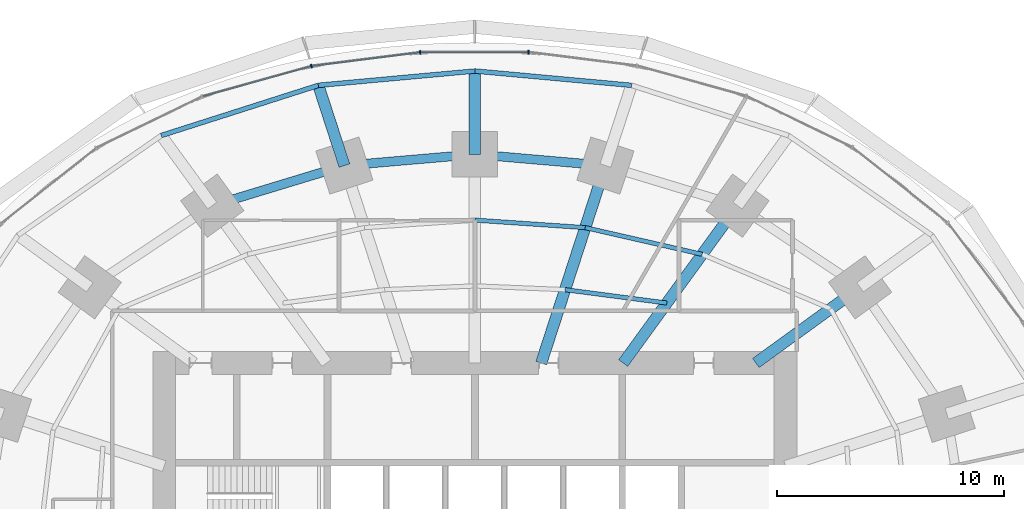
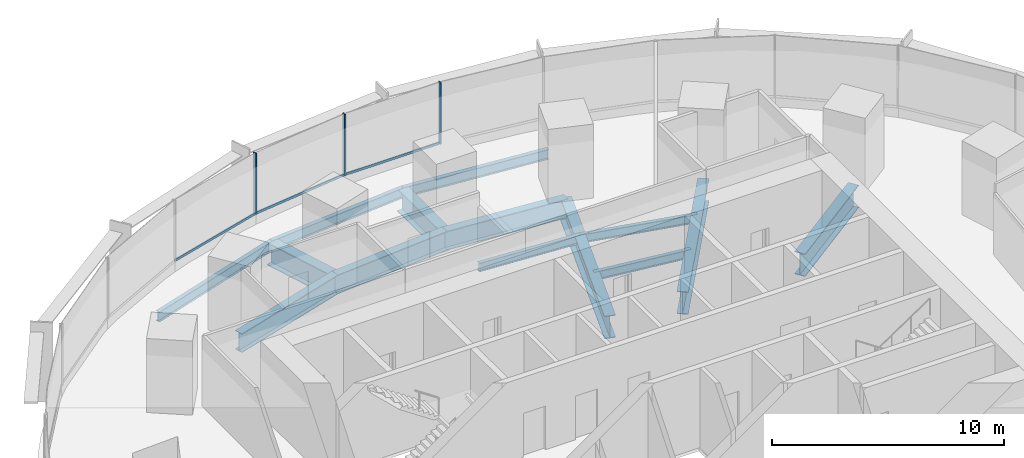
# One storey, part 8 of 15: 14 beams, 6 members, 1 element without a shape of its own.
"""IFC4 building model written with IfcOpenShell, lengths in metres."""

from ifc_helpers import new_model, si_unit, direction, frame, origin, origin_2d, place, context, subcontext, project, spatial, rectangle, i_section, extrude, material, material_profile, profile_set, type_object, element, aggregate, save


model = new_model("IFC4")

# Units and contexts
model_context = context("Model", 3, precision=1e-05, world=origin(), true_north=direction((0.0, 1.0)))
body_context = subcontext(model_context, "Body", "Model", "MODEL_VIEW")
ifc_project = project(units=[si_unit("LENGTHUNIT", "METRE"), si_unit("AREAUNIT", "SQUARE_METRE"), si_unit("VOLUMEUNIT", "CUBIC_METRE"), si_unit("PLANEANGLEUNIT", "RADIAN"), si_unit("MASSUNIT", "GRAM", prefix="KILO")], contexts=[model_context])

# Site, building, storey
site_placement = place(None, origin())
site = spatial("IfcSite", under=ifc_project, at=site_placement, CompositionType="ELEMENT")
building_placement = place(site_placement, origin())
building = spatial("IfcBuilding", under=site, at=building_placement, Name="Marramba Exchange Tower", CompositionType="ELEMENT")
storey_placement = place(building_placement, frame((0.0, 0.0, 78.39990234375)))
storey = spatial("IfcBuildingStorey", under=building, at=storey_placement, Name="L18", CompositionType="ELEMENT", Elevation=78.39990234375)

# Beams
ifc_material_1 = material(Name="Steel AS/NZS 3679.2 grade 300", Category="steel")
ifc_material_profile_1 = material_profile(ifc_material_1, i_section(OverallWidth=0.5, OverallDepth=1.199951171875, WebThickness=0.01611328125, FlangeThickness=0.0400390625, at=origin_2d()), Name="1200WB455")
ifc_profile_set_1 = profile_set([ifc_material_profile_1], Name="Steel AS/NZS 3679.2 grade 300")
beam_type_1 = type_object("IfcBeamType", Name="Cantilever girder 1200WB455", PredefinedType="BEAM", material=ifc_profile_set_1)
beam_1_placement = place(storey_placement, frame((0.0, 18.2041015625, -0.760009765625), z_axis=(0.0, 1.0, 0.0), x_axis=(-1.0, 0.0, 0.0)))
element("IfcBeam", 1, at=beam_1_placement, inside=storey, type_object=beam_type_1, Name="Cantilever girder L18 TC06", PredefinedType="BEAM", context=body_context, shape_type="SweptSolid", body=[
    extrude(i_section(OverallWidth=0.5, OverallDepth=1.199951171875, WebThickness=0.01611328125, FlangeThickness=0.0400390625, at=origin_2d()), origin(), (0.0, 0.0, 1.0), 3.673828125),
])
beam_2_placement = place(storey_placement, frame((-5.75390625, 17.70849609375, -0.760009765625), z_axis=(-0.308973290646, 0.951070715387, 0.0), x_axis=(-0.951070715387, -0.308973290646, 0.0)))
element("IfcBeam", 2, at=beam_2_placement, inside=storey, type_object=beam_type_1, Name="Cantilever girder L18 TC07", PredefinedType="BEAM", context=body_context, shape_type="SweptSolid", body=[
    extrude(i_section(OverallWidth=0.5, OverallDepth=1.199951171875, WebThickness=0.01611328125, FlangeThickness=0.0400390625, at=origin_2d()), origin(), (0.0, 0.0, 1.0), 3.72021484375),
])
ifc_material_2 = material(Name="Steel AS/NZS 3679.1 grade 300", Category="steel")
ifc_material_profile_2 = material_profile(ifc_material_2, i_section(OverallWidth=0.18994140625, OverallDepth=0.4541015625, WebThickness=0.008544921875, FlangeThickness=0.0126953125, FilletRadius=0.011474609375, at=origin_2d()), Name="460UB67.1")
ifc_profile_set_2 = profile_set([ifc_material_profile_2], Name="Steel AS/NZS 3679.1 grade 300")
beam_type_2 = type_object("IfcBeamType", Name="Floor joist 460UB67.1", PredefinedType="JOIST", material=ifc_profile_set_2)
beam_3_placement = place(storey_placement, frame((8.4619140625, 11.646728515625, -0.386962890625), z_axis=(-0.991480538255, 0.130254912618, 0.0), x_axis=(-0.130254912618, -0.991480538255, 0.0)))
element("IfcBeam", 3, at=beam_3_placement, inside=storey, type_object=beam_type_2, Name="Joist L18 bay 04 row 1", PredefinedType="JOIST", context=body_context, shape_type="SweptSolid", body=[
    extrude(i_section(OverallWidth=0.18994140625, OverallDepth=0.4541015625, WebThickness=0.008544921875, FlangeThickness=0.0126953125, FilletRadius=0.011474609375, at=origin_2d()), origin(), (0.0, 0.0, 1.0), 4.524658203125),
])
beam_4_placement = place(storey_placement, frame((10.021728515625, 13.793701171875, -0.386962890625), z_axis=(-0.974859652292, 0.222819788916, 0.0), x_axis=(-0.222819788916, -0.974859652292, 0.0)))
element("IfcBeam", 4, at=beam_4_placement, inside=storey, type_object=beam_type_2, Name="Joist L18 bay 04 row 2", PredefinedType="JOIST", context=body_context, shape_type="SweptSolid", body=[
    extrude(i_section(OverallWidth=0.18994140625, OverallDepth=0.4541015625, WebThickness=0.008544921875, FlangeThickness=0.0126953125, FilletRadius=0.011474609375, at=origin_2d()), origin(), (0.0, 0.0, 1.0), 5.2900390625),
])
beam_5_placement = place(storey_placement, frame((4.86474609375, 14.972412109375, -0.386962890625), z_axis=(-0.997702652202, 0.067745241816, 0.0), x_axis=(-0.067745241816, -0.997702652202, 0.0)))
element("IfcBeam", 5, at=beam_5_placement, inside=storey, type_object=beam_type_2, Name="Joist L18 bay 05 row 2", PredefinedType="JOIST", context=body_context, shape_type="SweptSolid", body=[
    extrude(i_section(OverallWidth=0.18994140625, OverallDepth=0.4541015625, WebThickness=0.008544921875, FlangeThickness=0.0126953125, FilletRadius=0.011474609375, at=origin_2d()), origin(), (0.0, 0.0, 1.0), 4.8759765625),
])
ifc_material_profile_3 = material_profile(ifc_material_1, i_section(OverallWidth=0.5, OverallDepth=1.199951171875, WebThickness=0.01611328125, FlangeThickness=0.0400390625, at=origin_2d()), Name="1200WB455")
ifc_profile_set_3 = profile_set([ifc_material_profile_3], Name="Steel AS/NZS 3679.2 grade 300")
beam_type_3 = type_object("IfcBeamType", Name="Radial girder 1200WB455", PredefinedType="BEAM", material=ifc_profile_set_3)
beam_6_placement = place(storey_placement, frame((12.387451171875, 9.0, -0.760009765625), z_axis=(0.809025746925, 0.587773205252, 0.0), x_axis=(-0.587773205252, 0.809025746925, 0.0)))
element("IfcBeam", 6, at=beam_6_placement, inside=storey, type_object=beam_type_3, Name="Radial girder L18 TC03", PredefinedType="BEAM", context=body_context, shape_type="SweptSolid", body=[
    extrude(i_section(OverallWidth=0.5, OverallDepth=1.199951171875, WebThickness=0.01611328125, FlangeThickness=0.0400390625, at=origin_2d()), origin(), (0.0, 0.0, 1.0), 5.683837890625),
])
beam_7_placement = place(storey_placement, frame((6.538818359375, 9.0, -0.760009765625), z_axis=(0.587782439969, 0.80901903764, 0.0), x_axis=(-0.80901903764, 0.587782439969, 0.0)))
element("IfcBeam", 7, at=beam_7_placement, inside=storey, type_object=beam_type_3, Name="Radial girder L18 TC04", PredefinedType="BEAM", context=body_context, shape_type="SweptSolid", body=[
    extrude(i_section(OverallWidth=0.5, OverallDepth=1.199951171875, WebThickness=0.01611328125, FlangeThickness=0.0400390625, at=origin_2d()), origin(), (0.0, 0.0, 1.0), 8.578857421875),
])
beam_8_placement = place(storey_placement, frame((2.92431640625, 9.0, -0.760009765625), z_axis=(0.309019754162, 0.951055619582, 0.0), x_axis=(-0.951055619582, 0.309019754162, 0.0)))
element("IfcBeam", 8, at=beam_8_placement, inside=storey, type_object=beam_type_3, Name="Radial girder L18 TC05", PredefinedType="BEAM", context=body_context, shape_type="SweptSolid", body=[
    extrude(i_section(OverallWidth=0.5, OverallDepth=1.199951171875, WebThickness=0.01611328125, FlangeThickness=0.0400390625, at=origin_2d()), origin(), (0.0, 0.0, 1.0), 9.15673828125),
])
ifc_material_profile_4 = material_profile(ifc_material_1, i_section(OverallWidth=0.39990234375, OverallDepth=1.0, WebThickness=0.01611328125, FlangeThickness=0.031982421875, at=origin_2d()), Name="1000WB322")
ifc_profile_set_4 = profile_set([ifc_material_profile_4], Name="Steel AS/NZS 3679.2 grade 300")
beam_type_4 = type_object("IfcBeamType", Name="Ring beam 1000WB322", PredefinedType="SPANDREL", material=ifc_profile_set_4)
for number, where, z_axis, x_axis, name in (
    (9, (5.75390625, 17.70849609375, -0.659912109375), (-0.996311003275, 0.085815993578, 0.0), (-0.085815993578, -0.996311003275, 0.0), "Ring beam L18 TC05-TC06"),
    (10, (0.0, 18.2041015625, -0.659912109375), (-0.996311003275, -0.085815993578, 0.0), (0.085815993578, -0.996311003275, 0.0), "Ring beam L18 TC06-TC07"),
):
    element("IfcBeam", number, at=place(storey_placement, frame(where, z_axis=z_axis, x_axis=x_axis)), inside=storey, type_object=beam_type_4, Name=name, PredefinedType="SPANDREL", context=body_context, shape_type="SweptSolid", body=[
        extrude(i_section(OverallWidth=0.39990234375, OverallDepth=1.0, WebThickness=0.01611328125, FlangeThickness=0.031982421875, at=origin_2d()), origin(), (0.0, 0.0, 1.0), 5.775146484375),
    ])
beam_9_placement = place(storey_placement, frame((-5.75390625, 17.70849609375, -0.659912109375), z_axis=(-0.956924542524, -0.290336735387, 0.0), x_axis=(0.290336735387, -0.956924542524, 0.0)))
element("IfcBeam", 11, at=beam_9_placement, inside=storey, type_object=beam_type_4, Name="Ring beam L18 TC07-TC08", PredefinedType="SPANDREL", context=body_context, shape_type="SweptSolid", body=[
    extrude(i_section(OverallWidth=0.39990234375, OverallDepth=1.0, WebThickness=0.01611328125, FlangeThickness=0.031982421875, at=origin_2d()), origin(), (0.0, 0.0, 1.0), 6.089599609375),
])
ifc_material_profile_5 = material_profile(ifc_material_2, i_section(OverallWidth=0.208984375, OverallDepth=0.528076171875, WebThickness=0.009521484375, FlangeThickness=0.01318359375, FilletRadius=0.013916015625, at=origin_2d()), Name="530UB82.0")
ifc_profile_set_5 = profile_set([ifc_material_profile_5], Name="Steel AS/NZS 3679.1 grade 300")
beam_type_5 = type_object("IfcBeamType", Name="Slab edge beam 530UB82.0", PredefinedType="SPANDREL", material=ifc_profile_set_5)
for number, where, z_axis, x_axis, name in (
    (12, (6.9033203125, 21.24658203125, -0.423828125), (-0.995843984921, 0.091075560369, 0.0), (-0.091075560369, -0.995843984921, 0.0), "Slab edge beam L18 TC05-TC06"),
    (13, (0.0, 21.8779296875, -0.423828125), (-0.995843984921, -0.091075560369, 0.0), (0.091075560369, -0.995843984921, 0.0), "Slab edge beam L18 TC06-TC07"),
):
    element("IfcBeam", number, at=place(storey_placement, frame(where, z_axis=z_axis, x_axis=x_axis)), inside=storey, type_object=beam_type_5, Name=name, PredefinedType="SPANDREL", context=body_context, shape_type="SweptSolid", body=[
        extrude(i_section(OverallWidth=0.208984375, OverallDepth=0.528076171875, WebThickness=0.009521484375, FlangeThickness=0.01318359375, FilletRadius=0.013916015625, at=origin_2d()), origin(), (0.0, 0.0, 1.0), 6.93212890625),
    ])
beam_10_placement = place(storey_placement, frame((-6.9033203125, 21.24658203125, -0.423828125), z_axis=(-0.952577642997, -0.304295635957, 0.0), x_axis=(0.304295635957, -0.952577642997, 0.0)))
element("IfcBeam", 14, at=beam_10_placement, inside=storey, type_object=beam_type_5, Name="Slab edge beam L18 TC07-TC08", PredefinedType="SPANDREL", context=body_context, shape_type="SweptSolid", body=[
    extrude(i_section(OverallWidth=0.208984375, OverallDepth=0.528076171875, WebThickness=0.009521484375, FlangeThickness=0.01318359375, FilletRadius=0.013916015625, at=origin_2d()), origin(), (0.0, 0.0, 1.0), 7.2705078125),
])

# Curtain wall, members
ifc_material_3 = material(Name="Aluminium framing, bronze anodised", Category="aluminium")
curtain_wall_type = type_object("IfcCurtainWallType", Name="Trading floor ribbon curtain wall", PredefinedType="USERDEFINED", material=ifc_material_3)
curtain_wall_placement = place(storey_placement, origin())
curtain_wall = element("IfcCurtainWall", 15, at=curtain_wall_placement, inside=storey, type_object=curtain_wall_type, Name="Curtain wall CW3 L18 F06-F10", ObjectType="RIBBON CURTAIN WALL", PredefinedType="USERDEFINED")
ifc_material_4 = material(Name="Aluminium mullion, bronze anodised", Category="aluminium")
ifc_material_profile_6 = material_profile(ifc_material_4, rectangle(XDim=0.159912109375, YDim=0.06005859375, at=origin_2d()), Name="CW3 mullion 60x160")
ifc_profile_set_6 = profile_set([ifc_material_profile_6], Name="Aluminium mullion, bronze anodised")
member_type_1 = type_object("IfcMemberType", Name="Trading floor ribbon curtain wall mullion", PredefinedType="MULLION", material=ifc_profile_set_6)
member_1_placement = place(storey_placement, frame((2.3564453125, 22.7060546875, 0.800048828125), z_axis=(0.0, 0.0, 1.0), x_axis=(0.0, -1.0, 0.0)))
member_1 = element("IfcMember", 16, at=member_1_placement, type_object=member_type_1, Name="CW3 mullion 1", PredefinedType="MULLION", context=body_context, shape_type="SweptSolid", body=[
    extrude(rectangle(XDim=0.159912109375, YDim=0.06005859375, at=origin_2d()), origin(), (0.0, 0.0, 1.0), 3.239990234375),
])
member_2_placement = place(storey_placement, frame((-2.416259765625, 22.7021484375, 0.800048828125), z_axis=(0.0, 0.0, 1.0), x_axis=(0.124872723099, -0.992172768738, 0.0)))
member_2 = element("IfcMember", 17, at=member_2_placement, type_object=member_type_1, Name="CW3 mullion 1", PredefinedType="MULLION", context=body_context, shape_type="SweptSolid", body=[
    extrude(rectangle(XDim=0.159912109375, YDim=0.06005859375, at=origin_2d()), origin(), (0.0, 0.0, 1.0), 3.239990234375),
])
member_3_placement = place(storey_placement, frame((-7.21044921875, 22.094482421875, 0.800048828125), z_axis=(0.0, 0.0, 1.0), x_axis=(0.267808735815, -0.963472096649, 0.0)))
member_3 = element("IfcMember", 18, at=member_3_placement, type_object=member_type_1, Name="CW3 mullion 1", PredefinedType="MULLION", context=body_context, shape_type="SweptSolid", body=[
    extrude(rectangle(XDim=0.159912109375, YDim=0.06005859375, at=origin_2d()), origin(), (0.0, 0.0, 1.0), 3.239990234375),
])
ifc_material_5 = material(Name="Aluminium transom, bronze anodised", Category="aluminium")
ifc_material_profile_7 = material_profile(ifc_material_5, rectangle(XDim=0.06005859375, YDim=0.1201171875, at=origin_2d()), Name="CW3 transom 60x120")
ifc_profile_set_7 = profile_set([ifc_material_profile_7], Name="Aluminium transom, bronze anodised")
member_type_2 = type_object("IfcMemberType", Name="Trading floor ribbon curtain wall transom", PredefinedType="USERDEFINED", material=ifc_profile_set_7)
member_4_placement = place(storey_placement, frame((2.326416015625, 22.7060546875, 0.830078125), z_axis=(-1.0, 0.0, 0.0), x_axis=(0.0, -1.0, 0.0)))
member_4 = element("IfcMember", 19, at=member_4_placement, type_object=member_type_2, Name="CW3 sill transom", ObjectType="TRANSOM", PredefinedType="USERDEFINED", context=body_context, shape_type="SweptSolid", body=[
    extrude(rectangle(XDim=0.06005859375, YDim=0.1201171875, at=origin_2d()), origin(), (0.0, 0.0, 1.0), 4.712890625),
])
member_5_placement = place(storey_placement, frame((-2.446044921875, 22.698486328125, 0.830078125), z_axis=(-0.992174445211, -0.124859402009, 0.0), x_axis=(0.124859402009, -0.992174445211, 0.0)))
member_5 = element("IfcMember", 20, at=member_5_placement, type_object=member_type_2, Name="CW3 sill transom", ObjectType="TRANSOM", PredefinedType="USERDEFINED", context=body_context, shape_type="SweptSolid", body=[
    extrude(rectangle(XDim=0.06005859375, YDim=0.1201171875, at=origin_2d()), origin(), (0.0, 0.0, 1.0), 4.77294921875),
])
member_6_placement = place(storey_placement, frame((-7.2392578125, 22.08642578125, 0.830078125), z_axis=(-0.963472490071, -0.267807320431, 0.0), x_axis=(0.267807320431, -0.963472490071, 0.0)))
member_6 = element("IfcMember", 21, at=member_6_placement, type_object=member_type_2, Name="CW3 sill transom", ObjectType="TRANSOM", PredefinedType="USERDEFINED", context=body_context, shape_type="SweptSolid", body=[
    extrude(rectangle(XDim=0.06005859375, YDim=0.1201171875, at=origin_2d()), origin(), (0.0, 0.0, 1.0), 4.93017578125),
])
aggregate(curtain_wall, [member_1, member_4, member_2, member_5, member_3, member_6])

save(model, "model.ifc")
